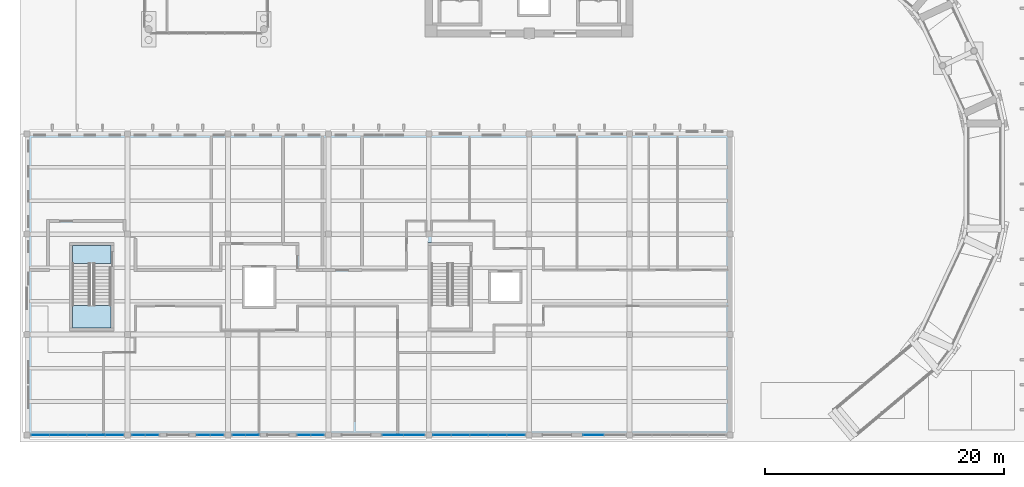
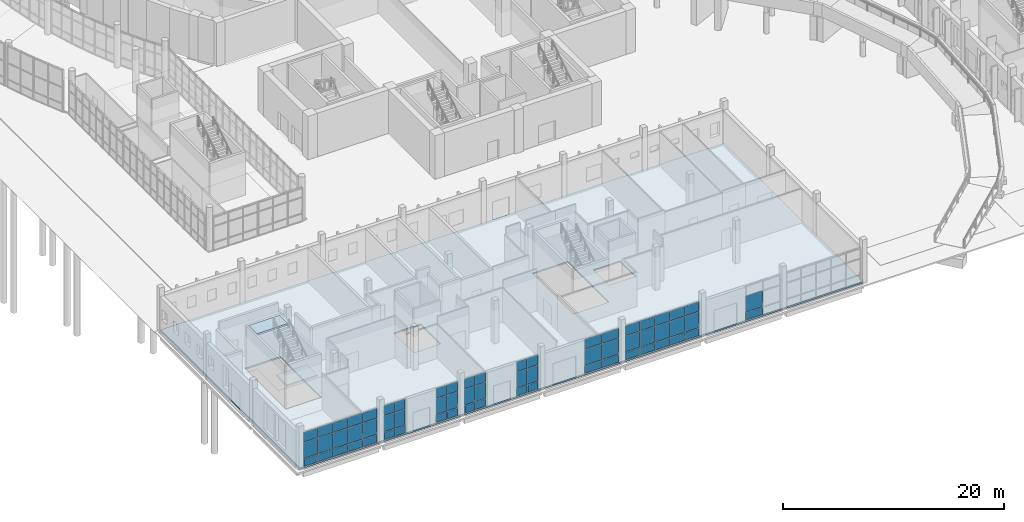
# One storey, part 38 of 110: 62 plates, 3 slabs, 9 elements without a shape of their own.
"""IFC4 building model written with IfcOpenShell, lengths in metres."""

from ifc_helpers import new_model, si_unit, direction, frame, origin, origin_2d, place, context, subcontext, project, spatial, polyline, rectangle, outline, extrude, material, layer, layer_set, type_object, element, aggregate, save


model = new_model("IFC4")

# Units and contexts
model_context = context("Model", 3, precision=1e-05, world=origin(), true_north=direction((0.0, 1.0)))
body_context = subcontext(model_context, "Body", "Model", "MODEL_VIEW")
ifc_project = project(units=[si_unit("LENGTHUNIT", "METRE"), si_unit("AREAUNIT", "SQUARE_METRE"), si_unit("VOLUMEUNIT", "CUBIC_METRE"), si_unit("PLANEANGLEUNIT", "RADIAN"), si_unit("MASSUNIT", "GRAM", prefix="KILO")], contexts=[model_context])

# Site, building, storey
site_placement = place(None, origin())
site = spatial("IfcSite", under=ifc_project, at=site_placement, CompositionType="ELEMENT")
building_placement = place(site_placement, origin())
building = spatial("IfcBuilding", under=site, at=building_placement, Name="Larchfold Concert Hall", CompositionType="ELEMENT")
storey_placement = place(building_placement, origin())
storey = spatial("IfcBuildingStorey", under=building, at=storey_placement, Name="L00", CompositionType="ELEMENT", Elevation=0.0)

# Curtain wall, plates
ifc_material_1 = material(Name="Anodised graphite aluminium curtain wall", Category="aluminium")
ifc_layer_1 = layer(ifc_material_1, 0.1201171875)
ifc_layer_set_1 = layer_set([ifc_layer_1], Name="Anodised graphite aluminium curtain wall")
curtain_wall_type = type_object("IfcCurtainWallType", Name="Curtain wall SF", PredefinedType="NOTDEFINED", material=ifc_layer_set_1)
curtain_wall_1_placement = place(storey_placement, origin())
curtain_wall_1 = element("IfcCurtainWall", 1, at=curtain_wall_1_placement, inside=storey, type_object=curtain_wall_type, Name="Curtain wall CW0294", PredefinedType="NOTDEFINED")
ifc_material_2 = material(Name="Insulated glazing unit, glass", Category="glass")
ifc_layer_2 = layer(ifc_material_2, 0.030029296875)
ifc_layer_set_2 = layer_set([ifc_layer_2], Name="Insulated glazing unit, glass")
plate_type_1 = type_object("IfcPlateType", Name="Glass panel 30", PredefinedType="CURTAIN_PANEL", material=ifc_layer_set_2)
plate_1_placement = place(storey_placement, frame((1.711181640625, 0.60009765625, 0.93505859375), z_axis=(0.0, 0.0, 1.0), x_axis=(1.0, 0.0, 0.0)))
plate_1 = element("IfcPlate", 2, at=plate_1_placement, type_object=plate_type_1, Name="CW0294 panel 1.2", PredefinedType="CURTAIN_PANEL", context=body_context, shape_type="SweptSolid", body=[
    extrude(rectangle(XDim=1.4619140625, YDim=0.030029296875, at=origin_2d()), origin(), (0.0, 0.0, 1.0), 1.72998046875),
])
plate_2_placement = place(storey_placement, frame((1.711181640625, 0.60009765625, 2.73486328125), z_axis=(0.0, 0.0, 1.0), x_axis=(1.0, 0.0, 0.0)))
plate_2 = element("IfcPlate", 3, at=plate_2_placement, type_object=plate_type_1, Name="CW0294 panel 1.3", PredefinedType="CURTAIN_PANEL", context=body_context, shape_type="SweptSolid", body=[
    extrude(rectangle(XDim=1.4619140625, YDim=0.030029296875, at=origin_2d()), origin(), (0.0, 0.0, 1.0), 1.03515625),
])
plate_3_placement = place(storey_placement, frame((3.248046875, 0.60009765625, 0.93505859375), z_axis=(0.0, 0.0, 1.0), x_axis=(1.0, 0.0, 0.0)))
plate_3 = element("IfcPlate", 4, at=plate_3_placement, type_object=plate_type_1, Name="CW0294 panel 2.2", PredefinedType="CURTAIN_PANEL", context=body_context, shape_type="SweptSolid", body=[
    extrude(rectangle(XDim=1.491943359375, YDim=0.030029296875, at=origin_2d()), origin(), (0.0, 0.0, 1.0), 1.72998046875),
])
plate_4_placement = place(storey_placement, frame((3.248046875, 0.60009765625, 2.73486328125), z_axis=(0.0, 0.0, 1.0), x_axis=(1.0, 0.0, 0.0)))
plate_4 = element("IfcPlate", 5, at=plate_4_placement, type_object=plate_type_1, Name="CW0294 panel 2.3", PredefinedType="CURTAIN_PANEL", context=body_context, shape_type="SweptSolid", body=[
    extrude(rectangle(XDim=1.491943359375, YDim=0.030029296875, at=origin_2d()), origin(), (0.0, 0.0, 1.0), 1.03515625),
])
plate_5_placement = place(storey_placement, frame((4.800048828125, 0.60009765625, 0.93505859375), z_axis=(0.0, 0.0, 1.0), x_axis=(1.0, 0.0, 0.0)))
plate_5 = element("IfcPlate", 6, at=plate_5_placement, type_object=plate_type_1, Name="CW0294 panel 3.2", PredefinedType="CURTAIN_PANEL", context=body_context, shape_type="SweptSolid", body=[
    extrude(rectangle(XDim=1.491943359375, YDim=0.030029296875, at=origin_2d()), origin(), (0.0, 0.0, 1.0), 1.72998046875),
])
plate_6_placement = place(storey_placement, frame((4.800048828125, 0.60009765625, 2.73486328125), z_axis=(0.0, 0.0, 1.0), x_axis=(1.0, 0.0, 0.0)))
plate_6 = element("IfcPlate", 7, at=plate_6_placement, type_object=plate_type_1, Name="CW0294 panel 3.3", PredefinedType="CURTAIN_PANEL", context=body_context, shape_type="SweptSolid", body=[
    extrude(rectangle(XDim=1.491943359375, YDim=0.030029296875, at=origin_2d()), origin(), (0.0, 0.0, 1.0), 1.03515625),
])
plate_7_placement = place(storey_placement, frame((6.35205078125, 0.60009765625, 0.93505859375), z_axis=(0.0, 0.0, 1.0), x_axis=(1.0, 0.0, 0.0)))
plate_7 = element("IfcPlate", 8, at=plate_7_placement, type_object=plate_type_1, Name="CW0294 panel 4.2", PredefinedType="CURTAIN_PANEL", context=body_context, shape_type="SweptSolid", body=[
    extrude(rectangle(XDim=1.491943359375, YDim=0.030029296875, at=origin_2d()), origin(), (0.0, 0.0, 1.0), 1.72998046875),
])
plate_8_placement = place(storey_placement, frame((6.35205078125, 0.60009765625, 2.73486328125), z_axis=(0.0, 0.0, 1.0), x_axis=(1.0, 0.0, 0.0)))
plate_8 = element("IfcPlate", 9, at=plate_8_placement, type_object=plate_type_1, Name="CW0294 panel 4.3", PredefinedType="CURTAIN_PANEL", context=body_context, shape_type="SweptSolid", body=[
    extrude(rectangle(XDim=1.491943359375, YDim=0.030029296875, at=origin_2d()), origin(), (0.0, 0.0, 1.0), 1.03515625),
])
plate_9_placement = place(storey_placement, frame((7.888916015625, 0.60009765625, 0.93505859375), z_axis=(0.0, 0.0, 1.0), x_axis=(1.0, 0.0, 0.0)))
plate_9 = element("IfcPlate", 10, at=plate_9_placement, type_object=plate_type_1, Name="CW0294 panel 5.2", PredefinedType="CURTAIN_PANEL", context=body_context, shape_type="SweptSolid", body=[
    extrude(rectangle(XDim=1.4619140625, YDim=0.030029296875, at=origin_2d()), origin(), (0.0, 0.0, 1.0), 1.72998046875),
])
plate_10_placement = place(storey_placement, frame((7.888916015625, 0.60009765625, 2.73486328125), z_axis=(0.0, 0.0, 1.0), x_axis=(1.0, 0.0, 0.0)))
plate_10 = element("IfcPlate", 11, at=plate_10_placement, type_object=plate_type_1, Name="CW0294 panel 5.3", PredefinedType="CURTAIN_PANEL", context=body_context, shape_type="SweptSolid", body=[
    extrude(rectangle(XDim=1.4619140625, YDim=0.030029296875, at=origin_2d()), origin(), (0.0, 0.0, 1.0), 1.03515625),
])

curtain_wall_2_placement = place(storey_placement, origin())
curtain_wall_2 = element("IfcCurtainWall", 12, at=curtain_wall_2_placement, inside=storey, type_object=curtain_wall_type, Name="Curtain wall CW0295", PredefinedType="NOTDEFINED")
plate_11_placement = place(storey_placement, frame((9.91259765625, 0.60009765625, 0.93505859375), z_axis=(0.0, 0.0, 1.0), x_axis=(1.0, 0.0, 0.0)))
plate_11 = element("IfcPlate", 13, at=plate_11_placement, type_object=plate_type_1, Name="CW0295 panel 1.2", PredefinedType="CURTAIN_PANEL", context=body_context, shape_type="SweptSolid", body=[
    extrude(rectangle(XDim=1.06494140625, YDim=0.030029296875, at=origin_2d()), origin(), (0.0, 0.0, 1.0), 1.72998046875),
])
plate_12_placement = place(storey_placement, frame((9.91259765625, 0.60009765625, 2.73486328125), z_axis=(0.0, 0.0, 1.0), x_axis=(1.0, 0.0, 0.0)))
plate_12 = element("IfcPlate", 14, at=plate_12_placement, type_object=plate_type_1, Name="CW0295 panel 1.3", PredefinedType="CURTAIN_PANEL", context=body_context, shape_type="SweptSolid", body=[
    extrude(rectangle(XDim=1.06494140625, YDim=0.030029296875, at=origin_2d()), origin(), (0.0, 0.0, 1.0), 1.03515625),
])
plate_13_placement = place(storey_placement, frame((11.037353515625, 0.60009765625, 0.93505859375), z_axis=(0.0, 0.0, 1.0), x_axis=(1.0, 0.0, 0.0)))
plate_13 = element("IfcPlate", 15, at=plate_13_placement, type_object=plate_type_1, Name="CW0295 panel 2.2", PredefinedType="CURTAIN_PANEL", context=body_context, shape_type="SweptSolid", body=[
    extrude(rectangle(XDim=1.06494140625, YDim=0.030029296875, at=origin_2d()), origin(), (0.0, 0.0, 1.0), 1.72998046875),
])
plate_14_placement = place(storey_placement, frame((11.037353515625, 0.60009765625, 2.73486328125), z_axis=(0.0, 0.0, 1.0), x_axis=(1.0, 0.0, 0.0)))
plate_14 = element("IfcPlate", 16, at=plate_14_placement, type_object=plate_type_1, Name="CW0295 panel 2.3", PredefinedType="CURTAIN_PANEL", context=body_context, shape_type="SweptSolid", body=[
    extrude(rectangle(XDim=1.06494140625, YDim=0.030029296875, at=origin_2d()), origin(), (0.0, 0.0, 1.0), 1.03515625),
])

curtain_wall_3_placement = place(storey_placement, origin())
curtain_wall_3 = element("IfcCurtainWall", 17, at=curtain_wall_3_placement, inside=storey, type_object=curtain_wall_type, Name="Curtain wall CW0296", PredefinedType="NOTDEFINED")
plate_15_placement = place(storey_placement, frame((15.362548828125, 0.60009765625, 0.93505859375), z_axis=(0.0, 0.0, 1.0), x_axis=(1.0, 0.0, 0.0)))
plate_15 = element("IfcPlate", 18, at=plate_15_placement, type_object=plate_type_1, Name="CW0296 panel 1.2", PredefinedType="CURTAIN_PANEL", context=body_context, shape_type="SweptSolid", body=[
    extrude(rectangle(XDim=1.06494140625, YDim=0.030029296875, at=origin_2d()), origin(), (0.0, 0.0, 1.0), 1.72998046875),
])
plate_16_placement = place(storey_placement, frame((15.362548828125, 0.60009765625, 2.73486328125), z_axis=(0.0, 0.0, 1.0), x_axis=(1.0, 0.0, 0.0)))
plate_16 = element("IfcPlate", 19, at=plate_16_placement, type_object=plate_type_1, Name="CW0296 panel 1.3", PredefinedType="CURTAIN_PANEL", context=body_context, shape_type="SweptSolid", body=[
    extrude(rectangle(XDim=1.06494140625, YDim=0.030029296875, at=origin_2d()), origin(), (0.0, 0.0, 1.0), 1.03515625),
])
plate_17_placement = place(storey_placement, frame((16.4873046875, 0.60009765625, 0.93505859375), z_axis=(0.0, 0.0, 1.0), x_axis=(1.0, 0.0, 0.0)))
plate_17 = element("IfcPlate", 20, at=plate_17_placement, type_object=plate_type_1, Name="CW0296 panel 2.2", PredefinedType="CURTAIN_PANEL", context=body_context, shape_type="SweptSolid", body=[
    extrude(rectangle(XDim=1.06494140625, YDim=0.030029296875, at=origin_2d()), origin(), (0.0, 0.0, 1.0), 1.72998046875),
])
plate_18_placement = place(storey_placement, frame((16.4873046875, 0.60009765625, 2.73486328125), z_axis=(0.0, 0.0, 1.0), x_axis=(1.0, 0.0, 0.0)))
plate_18 = element("IfcPlate", 21, at=plate_18_placement, type_object=plate_type_1, Name="CW0296 panel 2.3", PredefinedType="CURTAIN_PANEL", context=body_context, shape_type="SweptSolid", body=[
    extrude(rectangle(XDim=1.06494140625, YDim=0.030029296875, at=origin_2d()), origin(), (0.0, 0.0, 1.0), 1.03515625),
])

curtain_wall_4_placement = place(storey_placement, origin())
curtain_wall_4 = element("IfcCurtainWall", 22, at=curtain_wall_4_placement, inside=storey, type_object=curtain_wall_type, Name="Curtain wall CW0297", PredefinedType="NOTDEFINED")
plate_19_placement = place(storey_placement, frame((18.3125, 0.60009765625, 0.93505859375), z_axis=(0.0, 0.0, 1.0), x_axis=(1.0, 0.0, 0.0)))
plate_19 = element("IfcPlate", 23, at=plate_19_placement, type_object=plate_type_1, Name="CW0297 panel 1.2", PredefinedType="CURTAIN_PANEL", context=body_context, shape_type="SweptSolid", body=[
    extrude(rectangle(XDim=1.06494140625, YDim=0.030029296875, at=origin_2d()), origin(), (0.0, 0.0, 1.0), 1.72998046875),
])
plate_20_placement = place(storey_placement, frame((18.3125, 0.60009765625, 2.73486328125), z_axis=(0.0, 0.0, 1.0), x_axis=(1.0, 0.0, 0.0)))
plate_20 = element("IfcPlate", 24, at=plate_20_placement, type_object=plate_type_1, Name="CW0297 panel 1.3", PredefinedType="CURTAIN_PANEL", context=body_context, shape_type="SweptSolid", body=[
    extrude(rectangle(XDim=1.06494140625, YDim=0.030029296875, at=origin_2d()), origin(), (0.0, 0.0, 1.0), 1.03515625),
])
plate_21_placement = place(storey_placement, frame((19.4375, 0.60009765625, 0.93505859375), z_axis=(0.0, 0.0, 1.0), x_axis=(1.0, 0.0, 0.0)))
plate_21 = element("IfcPlate", 25, at=plate_21_placement, type_object=plate_type_1, Name="CW0297 panel 2.2", PredefinedType="CURTAIN_PANEL", context=body_context, shape_type="SweptSolid", body=[
    extrude(rectangle(XDim=1.06494140625, YDim=0.030029296875, at=origin_2d()), origin(), (0.0, 0.0, 1.0), 1.72998046875),
])
plate_22_placement = place(storey_placement, frame((19.4375, 0.60009765625, 2.73486328125), z_axis=(0.0, 0.0, 1.0), x_axis=(1.0, 0.0, 0.0)))
plate_22 = element("IfcPlate", 26, at=plate_22_placement, type_object=plate_type_1, Name="CW0297 panel 2.3", PredefinedType="CURTAIN_PANEL", context=body_context, shape_type="SweptSolid", body=[
    extrude(rectangle(XDim=1.06494140625, YDim=0.030029296875, at=origin_2d()), origin(), (0.0, 0.0, 1.0), 1.03515625),
])

curtain_wall_5_placement = place(storey_placement, origin())
curtain_wall_5 = element("IfcCurtainWall", 27, at=curtain_wall_5_placement, inside=storey, type_object=curtain_wall_type, Name="Curtain wall CW0298", PredefinedType="NOTDEFINED")
plate_23_placement = place(storey_placement, frame((23.7626953125, 0.60009765625, 0.93505859375), z_axis=(0.0, 0.0, 1.0), x_axis=(1.0, 0.0, 0.0)))
plate_23 = element("IfcPlate", 28, at=plate_23_placement, type_object=plate_type_1, Name="CW0298 panel 1.2", PredefinedType="CURTAIN_PANEL", context=body_context, shape_type="SweptSolid", body=[
    extrude(rectangle(XDim=1.06494140625, YDim=0.030029296875, at=origin_2d()), origin(), (0.0, 0.0, 1.0), 1.72998046875),
])
plate_24_placement = place(storey_placement, frame((23.7626953125, 0.60009765625, 2.73486328125), z_axis=(0.0, 0.0, 1.0), x_axis=(1.0, 0.0, 0.0)))
plate_24 = element("IfcPlate", 29, at=plate_24_placement, type_object=plate_type_1, Name="CW0298 panel 1.3", PredefinedType="CURTAIN_PANEL", context=body_context, shape_type="SweptSolid", body=[
    extrude(rectangle(XDim=1.06494140625, YDim=0.030029296875, at=origin_2d()), origin(), (0.0, 0.0, 1.0), 1.03515625),
])
plate_25_placement = place(storey_placement, frame((24.887451171875, 0.60009765625, 0.93505859375), z_axis=(0.0, 0.0, 1.0), x_axis=(1.0, 0.0, 0.0)))
plate_25 = element("IfcPlate", 30, at=plate_25_placement, type_object=plate_type_1, Name="CW0298 panel 2.2", PredefinedType="CURTAIN_PANEL", context=body_context, shape_type="SweptSolid", body=[
    extrude(rectangle(XDim=1.06494140625, YDim=0.030029296875, at=origin_2d()), origin(), (0.0, 0.0, 1.0), 1.72998046875),
])
plate_26_placement = place(storey_placement, frame((24.887451171875, 0.60009765625, 2.73486328125), z_axis=(0.0, 0.0, 1.0), x_axis=(1.0, 0.0, 0.0)))
plate_26 = element("IfcPlate", 31, at=plate_26_placement, type_object=plate_type_1, Name="CW0298 panel 2.3", PredefinedType="CURTAIN_PANEL", context=body_context, shape_type="SweptSolid", body=[
    extrude(rectangle(XDim=1.06494140625, YDim=0.030029296875, at=origin_2d()), origin(), (0.0, 0.0, 1.0), 1.03515625),
])

curtain_wall_6_placement = place(storey_placement, origin())
curtain_wall_6 = element("IfcCurtainWall", 32, at=curtain_wall_6_placement, inside=storey, type_object=curtain_wall_type, Name="Curtain wall CW0299", PredefinedType="NOTDEFINED")
plate_27_placement = place(storey_placement, frame((31.1875, 0.60009765625, 0.93505859375), z_axis=(0.0, 0.0, 1.0), x_axis=(1.0, 0.0, 0.0)))
plate_27 = element("IfcPlate", 33, at=plate_27_placement, type_object=plate_type_1, Name="CW0299 panel 1.2", PredefinedType="CURTAIN_PANEL", context=body_context, shape_type="SweptSolid", body=[
    extrude(rectangle(XDim=1.71484375, YDim=0.030029296875, at=origin_2d()), origin(), (0.0, 0.0, 1.0), 1.72998046875),
])
plate_28_placement = place(storey_placement, frame((31.1875, 0.60009765625, 2.73486328125), z_axis=(0.0, 0.0, 1.0), x_axis=(1.0, 0.0, 0.0)))
plate_28 = element("IfcPlate", 34, at=plate_28_placement, type_object=plate_type_1, Name="CW0299 panel 1.3", PredefinedType="CURTAIN_PANEL", context=body_context, shape_type="SweptSolid", body=[
    extrude(rectangle(XDim=1.71484375, YDim=0.030029296875, at=origin_2d()), origin(), (0.0, 0.0, 1.0), 1.03515625),
])
plate_29_placement = place(storey_placement, frame((32.96240234375, 0.60009765625, 0.93505859375), z_axis=(0.0, 0.0, 1.0), x_axis=(1.0, 0.0, 0.0)))
plate_29 = element("IfcPlate", 35, at=plate_29_placement, type_object=plate_type_1, Name="CW0299 panel 2.2", PredefinedType="CURTAIN_PANEL", context=body_context, shape_type="SweptSolid", body=[
    extrude(rectangle(XDim=1.71484375, YDim=0.030029296875, at=origin_2d()), origin(), (0.0, 0.0, 1.0), 1.72998046875),
])
plate_30_placement = place(storey_placement, frame((32.96240234375, 0.60009765625, 2.73486328125), z_axis=(0.0, 0.0, 1.0), x_axis=(1.0, 0.0, 0.0)))
plate_30 = element("IfcPlate", 36, at=plate_30_placement, type_object=plate_type_1, Name="CW0299 panel 2.3", PredefinedType="CURTAIN_PANEL", context=body_context, shape_type="SweptSolid", body=[
    extrude(rectangle(XDim=1.71484375, YDim=0.030029296875, at=origin_2d()), origin(), (0.0, 0.0, 1.0), 1.03515625),
])

curtain_wall_7_placement = place(storey_placement, origin())
curtain_wall_7 = element("IfcCurtainWall", 37, at=curtain_wall_7_placement, inside=storey, type_object=curtain_wall_type, Name="Curtain wall CW0300", PredefinedType="NOTDEFINED")
plate_31_placement = place(storey_placement, frame((35.31103515625, 0.60009765625, 0.93505859375), z_axis=(0.0, 0.0, 1.0), x_axis=(1.0, 0.0, 0.0)))
plate_31 = element("IfcPlate", 38, at=plate_31_placement, type_object=plate_type_1, Name="CW0300 panel 1.2", PredefinedType="CURTAIN_PANEL", context=body_context, shape_type="SweptSolid", body=[
    extrude(rectangle(XDim=1.4619140625, YDim=0.030029296875, at=origin_2d()), origin(), (0.0, 0.0, 1.0), 1.72998046875),
])
plate_32_placement = place(storey_placement, frame((35.31103515625, 0.60009765625, 2.73486328125), z_axis=(0.0, 0.0, 1.0), x_axis=(1.0, 0.0, 0.0)))
plate_32 = element("IfcPlate", 39, at=plate_32_placement, type_object=plate_type_1, Name="CW0300 panel 1.3", PredefinedType="CURTAIN_PANEL", context=body_context, shape_type="SweptSolid", body=[
    extrude(rectangle(XDim=1.4619140625, YDim=0.030029296875, at=origin_2d()), origin(), (0.0, 0.0, 1.0), 1.03515625),
])
plate_33_placement = place(storey_placement, frame((36.84814453125, 0.60009765625, 0.93505859375), z_axis=(0.0, 0.0, 1.0), x_axis=(1.0, 0.0, 0.0)))
plate_33 = element("IfcPlate", 40, at=plate_33_placement, type_object=plate_type_1, Name="CW0300 panel 2.2", PredefinedType="CURTAIN_PANEL", context=body_context, shape_type="SweptSolid", body=[
    extrude(rectangle(XDim=1.491943359375, YDim=0.030029296875, at=origin_2d()), origin(), (0.0, 0.0, 1.0), 1.72998046875),
])
plate_34_placement = place(storey_placement, frame((36.84814453125, 0.60009765625, 2.73486328125), z_axis=(0.0, 0.0, 1.0), x_axis=(1.0, 0.0, 0.0)))
plate_34 = element("IfcPlate", 41, at=plate_34_placement, type_object=plate_type_1, Name="CW0300 panel 2.3", PredefinedType="CURTAIN_PANEL", context=body_context, shape_type="SweptSolid", body=[
    extrude(rectangle(XDim=1.491943359375, YDim=0.030029296875, at=origin_2d()), origin(), (0.0, 0.0, 1.0), 1.03515625),
])
plate_35_placement = place(storey_placement, frame((38.39990234375, 0.60009765625, 0.93505859375), z_axis=(0.0, 0.0, 1.0), x_axis=(1.0, 0.0, 0.0)))
plate_35 = element("IfcPlate", 42, at=plate_35_placement, type_object=plate_type_1, Name="CW0300 panel 3.2", PredefinedType="CURTAIN_PANEL", context=body_context, shape_type="SweptSolid", body=[
    extrude(rectangle(XDim=1.491943359375, YDim=0.030029296875, at=origin_2d()), origin(), (0.0, 0.0, 1.0), 1.72998046875),
])
plate_36_placement = place(storey_placement, frame((38.39990234375, 0.60009765625, 2.73486328125), z_axis=(0.0, 0.0, 1.0), x_axis=(1.0, 0.0, 0.0)))
plate_36 = element("IfcPlate", 43, at=plate_36_placement, type_object=plate_type_1, Name="CW0300 panel 3.3", PredefinedType="CURTAIN_PANEL", context=body_context, shape_type="SweptSolid", body=[
    extrude(rectangle(XDim=1.491943359375, YDim=0.030029296875, at=origin_2d()), origin(), (0.0, 0.0, 1.0), 1.03515625),
])
plate_37_placement = place(storey_placement, frame((39.951904296875, 0.60009765625, 0.93505859375), z_axis=(0.0, 0.0, 1.0), x_axis=(1.0, 0.0, 0.0)))
plate_37 = element("IfcPlate", 44, at=plate_37_placement, type_object=plate_type_1, Name="CW0300 panel 4.2", PredefinedType="CURTAIN_PANEL", context=body_context, shape_type="SweptSolid", body=[
    extrude(rectangle(XDim=1.491943359375, YDim=0.030029296875, at=origin_2d()), origin(), (0.0, 0.0, 1.0), 1.72998046875),
])
plate_38_placement = place(storey_placement, frame((39.951904296875, 0.60009765625, 2.73486328125), z_axis=(0.0, 0.0, 1.0), x_axis=(1.0, 0.0, 0.0)))
plate_38 = element("IfcPlate", 45, at=plate_38_placement, type_object=plate_type_1, Name="CW0300 panel 4.3", PredefinedType="CURTAIN_PANEL", context=body_context, shape_type="SweptSolid", body=[
    extrude(rectangle(XDim=1.491943359375, YDim=0.030029296875, at=origin_2d()), origin(), (0.0, 0.0, 1.0), 1.03515625),
])
plate_39_placement = place(storey_placement, frame((41.489013671875, 0.60009765625, 0.93505859375), z_axis=(0.0, 0.0, 1.0), x_axis=(1.0, 0.0, 0.0)))
plate_39 = element("IfcPlate", 46, at=plate_39_placement, type_object=plate_type_1, Name="CW0300 panel 5.2", PredefinedType="CURTAIN_PANEL", context=body_context, shape_type="SweptSolid", body=[
    extrude(rectangle(XDim=1.4619140625, YDim=0.030029296875, at=origin_2d()), origin(), (0.0, 0.0, 1.0), 1.72998046875),
])
plate_40_placement = place(storey_placement, frame((41.489013671875, 0.60009765625, 2.73486328125), z_axis=(0.0, 0.0, 1.0), x_axis=(1.0, 0.0, 0.0)))
plate_40 = element("IfcPlate", 47, at=plate_40_placement, type_object=plate_type_1, Name="CW0300 panel 5.3", PredefinedType="CURTAIN_PANEL", context=body_context, shape_type="SweptSolid", body=[
    extrude(rectangle(XDim=1.4619140625, YDim=0.030029296875, at=origin_2d()), origin(), (0.0, 0.0, 1.0), 1.03515625),
])

# Curtain wall, plate
curtain_wall_8_placement = place(storey_placement, origin())
curtain_wall_8 = element("IfcCurtainWall", 48, at=curtain_wall_8_placement, inside=storey, type_object=curtain_wall_type, Name="Curtain wall CW0301", PredefinedType="NOTDEFINED")
plate_41_placement = place(storey_placement, frame((47.987548828125, 0.60009765625, 0.93505859375), z_axis=(0.0, 0.0, 1.0), x_axis=(1.0, 0.0, 0.0)))
plate_41 = element("IfcPlate", 49, at=plate_41_placement, type_object=plate_type_1, Name="CW0301 panel 1.2", PredefinedType="CURTAIN_PANEL", context=body_context, shape_type="SweptSolid", body=[
    extrude(rectangle(XDim=1.71484375, YDim=0.030029296875, at=origin_2d()), origin(), (0.0, 0.0, 1.0), 1.72998046875),
])

# Plate
ifc_material_3 = material(Name="White insulated panel")
ifc_layer_3 = layer(ifc_material_3, 0.054931640625)
ifc_layer_set_3 = layer_set([ifc_layer_3], Name="White insulated panel")
plate_type_2 = type_object("IfcPlateType", Name="Insulated spandrel panel 55", PredefinedType="CURTAIN_PANEL", material=ifc_layer_set_3)
plate_42_placement = place(storey_placement, frame((1.711181640625, 0.60009765625, 0.070068359375), z_axis=(0.0, 0.0, 1.0), x_axis=(1.0, 0.0, 0.0)))
plate_42 = element("IfcPlate", 50, at=plate_42_placement, type_object=plate_type_2, Name="CW0294 panel 1.1", PredefinedType="CURTAIN_PANEL", context=body_context, shape_type="SweptSolid", body=[
    extrude(rectangle(XDim=1.4619140625, YDim=0.054931640625, at=origin_2d()), origin(), (0.0, 0.0, 1.0), 0.794921875),
])

plate_43_placement = place(storey_placement, frame((3.248046875, 0.60009765625, 0.070068359375), z_axis=(0.0, 0.0, 1.0), x_axis=(1.0, 0.0, 0.0)))
plate_43 = element("IfcPlate", 51, at=plate_43_placement, type_object=plate_type_2, Name="CW0294 panel 2.1", PredefinedType="CURTAIN_PANEL", context=body_context, shape_type="SweptSolid", body=[
    extrude(rectangle(XDim=1.491943359375, YDim=0.054931640625, at=origin_2d()), origin(), (0.0, 0.0, 1.0), 0.794921875),
])

plate_44_placement = place(storey_placement, frame((4.800048828125, 0.60009765625, 0.070068359375), z_axis=(0.0, 0.0, 1.0), x_axis=(1.0, 0.0, 0.0)))
plate_44 = element("IfcPlate", 52, at=plate_44_placement, type_object=plate_type_2, Name="CW0294 panel 3.1", PredefinedType="CURTAIN_PANEL", context=body_context, shape_type="SweptSolid", body=[
    extrude(rectangle(XDim=1.491943359375, YDim=0.054931640625, at=origin_2d()), origin(), (0.0, 0.0, 1.0), 0.794921875),
])

plate_45_placement = place(storey_placement, frame((6.35205078125, 0.60009765625, 0.070068359375), z_axis=(0.0, 0.0, 1.0), x_axis=(1.0, 0.0, 0.0)))
plate_45 = element("IfcPlate", 53, at=plate_45_placement, type_object=plate_type_2, Name="CW0294 panel 4.1", PredefinedType="CURTAIN_PANEL", context=body_context, shape_type="SweptSolid", body=[
    extrude(rectangle(XDim=1.491943359375, YDim=0.054931640625, at=origin_2d()), origin(), (0.0, 0.0, 1.0), 0.794921875),
])

plate_46_placement = place(storey_placement, frame((7.888916015625, 0.60009765625, 0.070068359375), z_axis=(0.0, 0.0, 1.0), x_axis=(1.0, 0.0, 0.0)))
plate_46 = element("IfcPlate", 54, at=plate_46_placement, type_object=plate_type_2, Name="CW0294 panel 5.1", PredefinedType="CURTAIN_PANEL", context=body_context, shape_type="SweptSolid", body=[
    extrude(rectangle(XDim=1.4619140625, YDim=0.054931640625, at=origin_2d()), origin(), (0.0, 0.0, 1.0), 0.794921875),
])

aggregate(curtain_wall_1, [plate_42, plate_1, plate_2, plate_43, plate_3, plate_4, plate_44, plate_5, plate_6, plate_45, plate_7, plate_8, plate_46, plate_9, plate_10])

plate_47_placement = place(storey_placement, frame((9.91259765625, 0.60009765625, 0.070068359375), z_axis=(0.0, 0.0, 1.0), x_axis=(1.0, 0.0, 0.0)))
plate_47 = element("IfcPlate", 55, at=plate_47_placement, type_object=plate_type_2, Name="CW0295 panel 1.1", PredefinedType="CURTAIN_PANEL", context=body_context, shape_type="SweptSolid", body=[
    extrude(rectangle(XDim=1.06494140625, YDim=0.054931640625, at=origin_2d()), origin(), (0.0, 0.0, 1.0), 0.794921875),
])

plate_48_placement = place(storey_placement, frame((11.037353515625, 0.60009765625, 0.070068359375), z_axis=(0.0, 0.0, 1.0), x_axis=(1.0, 0.0, 0.0)))
plate_48 = element("IfcPlate", 56, at=plate_48_placement, type_object=plate_type_2, Name="CW0295 panel 2.1", PredefinedType="CURTAIN_PANEL", context=body_context, shape_type="SweptSolid", body=[
    extrude(rectangle(XDim=1.06494140625, YDim=0.054931640625, at=origin_2d()), origin(), (0.0, 0.0, 1.0), 0.794921875),
])

aggregate(curtain_wall_2, [plate_47, plate_11, plate_12, plate_48, plate_13, plate_14])

plate_49_placement = place(storey_placement, frame((15.362548828125, 0.60009765625, 0.070068359375), z_axis=(0.0, 0.0, 1.0), x_axis=(1.0, 0.0, 0.0)))
plate_49 = element("IfcPlate", 57, at=plate_49_placement, type_object=plate_type_2, Name="CW0296 panel 1.1", PredefinedType="CURTAIN_PANEL", context=body_context, shape_type="SweptSolid", body=[
    extrude(rectangle(XDim=1.06494140625, YDim=0.054931640625, at=origin_2d()), origin(), (0.0, 0.0, 1.0), 0.794921875),
])

plate_50_placement = place(storey_placement, frame((16.4873046875, 0.60009765625, 0.070068359375), z_axis=(0.0, 0.0, 1.0), x_axis=(1.0, 0.0, 0.0)))
plate_50 = element("IfcPlate", 58, at=plate_50_placement, type_object=plate_type_2, Name="CW0296 panel 2.1", PredefinedType="CURTAIN_PANEL", context=body_context, shape_type="SweptSolid", body=[
    extrude(rectangle(XDim=1.06494140625, YDim=0.054931640625, at=origin_2d()), origin(), (0.0, 0.0, 1.0), 0.794921875),
])

aggregate(curtain_wall_3, [plate_49, plate_15, plate_16, plate_50, plate_17, plate_18])

plate_51_placement = place(storey_placement, frame((18.3125, 0.60009765625, 0.070068359375), z_axis=(0.0, 0.0, 1.0), x_axis=(1.0, 0.0, 0.0)))
plate_51 = element("IfcPlate", 59, at=plate_51_placement, type_object=plate_type_2, Name="CW0297 panel 1.1", PredefinedType="CURTAIN_PANEL", context=body_context, shape_type="SweptSolid", body=[
    extrude(rectangle(XDim=1.06494140625, YDim=0.054931640625, at=origin_2d()), origin(), (0.0, 0.0, 1.0), 0.794921875),
])

plate_52_placement = place(storey_placement, frame((19.4375, 0.60009765625, 0.070068359375), z_axis=(0.0, 0.0, 1.0), x_axis=(1.0, 0.0, 0.0)))
plate_52 = element("IfcPlate", 60, at=plate_52_placement, type_object=plate_type_2, Name="CW0297 panel 2.1", PredefinedType="CURTAIN_PANEL", context=body_context, shape_type="SweptSolid", body=[
    extrude(rectangle(XDim=1.06494140625, YDim=0.054931640625, at=origin_2d()), origin(), (0.0, 0.0, 1.0), 0.794921875),
])

aggregate(curtain_wall_4, [plate_51, plate_19, plate_20, plate_52, plate_21, plate_22])

plate_53_placement = place(storey_placement, frame((23.7626953125, 0.60009765625, 0.070068359375), z_axis=(0.0, 0.0, 1.0), x_axis=(1.0, 0.0, 0.0)))
plate_53 = element("IfcPlate", 61, at=plate_53_placement, type_object=plate_type_2, Name="CW0298 panel 1.1", PredefinedType="CURTAIN_PANEL", context=body_context, shape_type="SweptSolid", body=[
    extrude(rectangle(XDim=1.06494140625, YDim=0.054931640625, at=origin_2d()), origin(), (0.0, 0.0, 1.0), 0.794921875),
])

plate_54_placement = place(storey_placement, frame((24.887451171875, 0.60009765625, 0.070068359375), z_axis=(0.0, 0.0, 1.0), x_axis=(1.0, 0.0, 0.0)))
plate_54 = element("IfcPlate", 62, at=plate_54_placement, type_object=plate_type_2, Name="CW0298 panel 2.1", PredefinedType="CURTAIN_PANEL", context=body_context, shape_type="SweptSolid", body=[
    extrude(rectangle(XDim=1.06494140625, YDim=0.054931640625, at=origin_2d()), origin(), (0.0, 0.0, 1.0), 0.794921875),
])

aggregate(curtain_wall_5, [plate_53, plate_23, plate_24, plate_54, plate_25, plate_26])

plate_55_placement = place(storey_placement, frame((31.1875, 0.60009765625, 0.070068359375), z_axis=(0.0, 0.0, 1.0), x_axis=(1.0, 0.0, 0.0)))
plate_55 = element("IfcPlate", 63, at=plate_55_placement, type_object=plate_type_2, Name="CW0299 panel 1.1", PredefinedType="CURTAIN_PANEL", context=body_context, shape_type="SweptSolid", body=[
    extrude(rectangle(XDim=1.71484375, YDim=0.054931640625, at=origin_2d()), origin(), (0.0, 0.0, 1.0), 0.794921875),
])

plate_56_placement = place(storey_placement, frame((32.96240234375, 0.60009765625, 0.070068359375), z_axis=(0.0, 0.0, 1.0), x_axis=(1.0, 0.0, 0.0)))
plate_56 = element("IfcPlate", 64, at=plate_56_placement, type_object=plate_type_2, Name="CW0299 panel 2.1", PredefinedType="CURTAIN_PANEL", context=body_context, shape_type="SweptSolid", body=[
    extrude(rectangle(XDim=1.71484375, YDim=0.054931640625, at=origin_2d()), origin(), (0.0, 0.0, 1.0), 0.794921875),
])

aggregate(curtain_wall_6, [plate_55, plate_27, plate_28, plate_56, plate_29, plate_30])

plate_57_placement = place(storey_placement, frame((35.31103515625, 0.60009765625, 0.070068359375), z_axis=(0.0, 0.0, 1.0), x_axis=(1.0, 0.0, 0.0)))
plate_57 = element("IfcPlate", 65, at=plate_57_placement, type_object=plate_type_2, Name="CW0300 panel 1.1", PredefinedType="CURTAIN_PANEL", context=body_context, shape_type="SweptSolid", body=[
    extrude(rectangle(XDim=1.4619140625, YDim=0.054931640625, at=origin_2d()), origin(), (0.0, 0.0, 1.0), 0.794921875),
])

plate_58_placement = place(storey_placement, frame((36.84814453125, 0.60009765625, 0.070068359375), z_axis=(0.0, 0.0, 1.0), x_axis=(1.0, 0.0, 0.0)))
plate_58 = element("IfcPlate", 66, at=plate_58_placement, type_object=plate_type_2, Name="CW0300 panel 2.1", PredefinedType="CURTAIN_PANEL", context=body_context, shape_type="SweptSolid", body=[
    extrude(rectangle(XDim=1.491943359375, YDim=0.054931640625, at=origin_2d()), origin(), (0.0, 0.0, 1.0), 0.794921875),
])

plate_59_placement = place(storey_placement, frame((38.39990234375, 0.60009765625, 0.070068359375), z_axis=(0.0, 0.0, 1.0), x_axis=(1.0, 0.0, 0.0)))
plate_59 = element("IfcPlate", 67, at=plate_59_placement, type_object=plate_type_2, Name="CW0300 panel 3.1", PredefinedType="CURTAIN_PANEL", context=body_context, shape_type="SweptSolid", body=[
    extrude(rectangle(XDim=1.491943359375, YDim=0.054931640625, at=origin_2d()), origin(), (0.0, 0.0, 1.0), 0.794921875),
])

plate_60_placement = place(storey_placement, frame((39.951904296875, 0.60009765625, 0.070068359375), z_axis=(0.0, 0.0, 1.0), x_axis=(1.0, 0.0, 0.0)))
plate_60 = element("IfcPlate", 68, at=plate_60_placement, type_object=plate_type_2, Name="CW0300 panel 4.1", PredefinedType="CURTAIN_PANEL", context=body_context, shape_type="SweptSolid", body=[
    extrude(rectangle(XDim=1.491943359375, YDim=0.054931640625, at=origin_2d()), origin(), (0.0, 0.0, 1.0), 0.794921875),
])

plate_61_placement = place(storey_placement, frame((41.489013671875, 0.60009765625, 0.070068359375), z_axis=(0.0, 0.0, 1.0), x_axis=(1.0, 0.0, 0.0)))
plate_61 = element("IfcPlate", 69, at=plate_61_placement, type_object=plate_type_2, Name="CW0300 panel 5.1", PredefinedType="CURTAIN_PANEL", context=body_context, shape_type="SweptSolid", body=[
    extrude(rectangle(XDim=1.4619140625, YDim=0.054931640625, at=origin_2d()), origin(), (0.0, 0.0, 1.0), 0.794921875),
])

aggregate(curtain_wall_7, [plate_57, plate_31, plate_32, plate_58, plate_33, plate_34, plate_59, plate_35, plate_36, plate_60, plate_37, plate_38, plate_61, plate_39, plate_40])

plate_62_placement = place(storey_placement, frame((47.987548828125, 0.60009765625, 0.070068359375), z_axis=(0.0, 0.0, 1.0), x_axis=(1.0, 0.0, 0.0)))
plate_62 = element("IfcPlate", 70, at=plate_62_placement, type_object=plate_type_2, Name="CW0301 panel 1.1", PredefinedType="CURTAIN_PANEL", context=body_context, shape_type="SweptSolid", body=[
    extrude(rectangle(XDim=1.71484375, YDim=0.054931640625, at=origin_2d()), origin(), (0.0, 0.0, 1.0), 0.794921875),
])

aggregate(curtain_wall_8, [plate_62, plate_41])

# Slab
ifc_material_4 = material(Name="Concrete C35/45", Category="concrete")
ifc_layer_4 = layer(ifc_material_4, 0.159912109375)
ifc_layer_set_4 = layer_set([ifc_layer_4], Name="Concrete C35/45")
slab_type_1 = type_object("IfcSlabType", Name="Slab 160", PredefinedType="FLOOR", material=ifc_layer_set_4)
slab_1_placement = place(storey_placement, frame((0.0, 0.0, -0.16015625)))
element("IfcSlab", 71, at=slab_1_placement, inside=storey, type_object=slab_type_1, Name="Slab S0001", PredefinedType="FLOOR", context=body_context, shape_type="SweptSolid", body=[
    extrude(outline(polyline([(0.60009765625, 0.60009765625), (59.39990234375, 0.60009765625), (59.39990234375, 25.800048828125), (0.60009765625, 25.800048828125), (0.60009765625, 0.60009765625)]), holes=[polyline([(4.14990234375, 9.300048828125), (4.14990234375, 16.699951171875), (7.85009765625, 16.699951171875), (7.85009765625, 9.300048828125), (4.14990234375, 9.300048828125)]), polyline([(18.60009765625, 11.199951171875), (18.60009765625, 14.800048828125), (21.39990234375, 14.800048828125), (21.39990234375, 11.199951171875), (18.60009765625, 11.199951171875)]), polyline([(34.14990234375, 9.300048828125), (34.14990234375, 16.699951171875), (37.85009765625, 16.699951171875), (37.85009765625, 9.300048828125), (34.14990234375, 9.300048828125)]), polyline([(39.199951171875, 11.60009765625), (39.199951171875, 14.39990234375), (42.0, 14.39990234375), (42.0, 11.60009765625), (39.199951171875, 11.60009765625)])]), origin(), (0.0, 0.0, 1.0), 0.16015625),
])

# Stair, slabs
ifc_material_5 = material(Name="Concrete C35/45", Category="concrete")
stair_type = type_object("IfcStairType", Name="Stair RC half-turn enclosed", PredefinedType="HALF_TURN_STAIR", material=ifc_material_5)
stair_placement = place(storey_placement, origin())
stair = element("IfcStair", 72, at=stair_placement, inside=storey, type_object=stair_type, Name="Stair SW1", PredefinedType="HALF_TURN_STAIR")
ifc_material_6 = material(Name="Concrete C35/45", Category="concrete")
ifc_layer_5 = layer(ifc_material_6, 0.199951171875)
ifc_layer_set_5 = layer_set([ifc_layer_5], Name="Concrete C35/45")
slab_type_2 = type_object("IfcSlabType", Name="Stair landing RC 200", PredefinedType="LANDING", material=ifc_layer_set_5)
slab_2_placement = place(storey_placement, frame((0.0, 0.0, 2.199951171875)))
slab_2 = element("IfcSlab", 73, at=slab_2_placement, type_object=slab_type_2, Name="ST21 landing 1", PredefinedType="LANDING", context=body_context, shape_type="SweptSolid", body=[
    extrude(outline(polyline([(4.39990234375, 11.43994140625), (4.39990234375, 9.550048828125), (7.599853515625, 9.550048828125), (7.599853515625, 11.43994140625), (4.39990234375, 11.43994140625)])), origin(), (0.0, 0.0, 1.0), 0.199951171875),
])
slab_3_placement = place(storey_placement, frame((0.0, 0.0, 4.60009765625)))
slab_3 = element("IfcSlab", 74, at=slab_3_placement, type_object=slab_type_2, Name="ST21 landing 2", PredefinedType="LANDING", context=body_context, shape_type="SweptSolid", body=[
    extrude(outline(polyline([(4.39990234375, 16.449951171875), (4.39990234375, 14.949951171875), (7.60009765625, 14.949951171875), (7.60009765625, 16.449951171875), (4.39990234375, 16.449951171875)])), origin(), (0.0, 0.0, 1.0), 0.199951171875),
])
aggregate(stair, [slab_2, slab_3])

save(model, "model.ifc")
